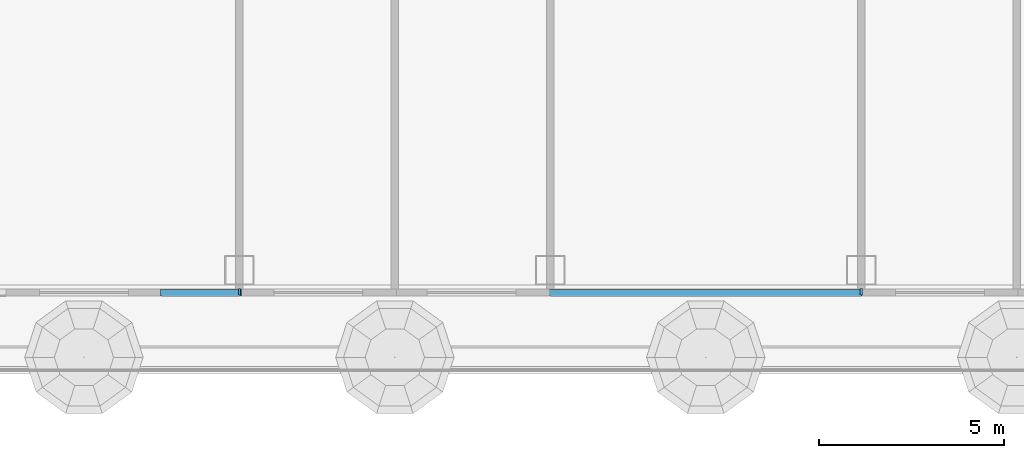
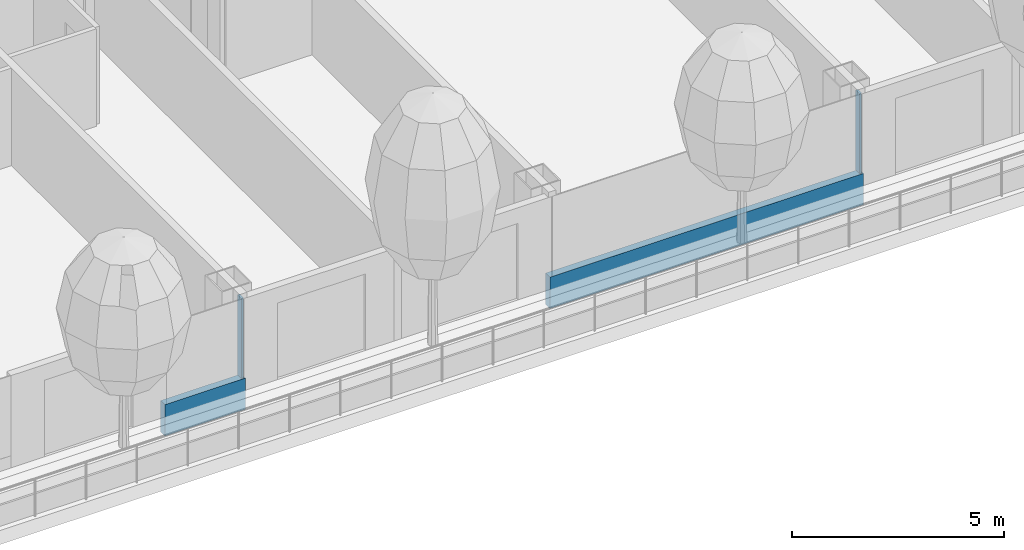
# One storey, part 4 of 33: 4 members, 1 element without a shape of its own.
"""IFC4 building model written with IfcOpenShell, lengths in metres."""

from ifc_helpers import new_model, si_unit, direction, frame, origin, origin_2d, place, context, subcontext, project, spatial, rectangle, extrude, material, layer, layer_set, material_profile, profile_set, type_object, element, aggregate, save


model = new_model("IFC4")

# Units and contexts
model_context = context("Model", 3, precision=1e-05, world=origin(), true_north=direction((0.0, 1.0)))
body_context = subcontext(model_context, "Body", "Model", "MODEL_VIEW")
ifc_project = project(units=[si_unit("LENGTHUNIT", "METRE"), si_unit("AREAUNIT", "SQUARE_METRE"), si_unit("VOLUMEUNIT", "CUBIC_METRE"), si_unit("PLANEANGLEUNIT", "RADIAN"), si_unit("MASSUNIT", "GRAM", prefix="KILO")], contexts=[model_context])

# Site, building, storey
site_placement = place(None, origin())
site = spatial("IfcSite", under=ifc_project, at=site_placement, CompositionType="ELEMENT")
building_placement = place(site_placement, origin())
building = spatial("IfcBuilding", under=site, at=building_placement, Name="Hakoniwa Tower and Hamabe Station Hall", CompositionType="ELEMENT")
storey_placement = place(building_placement, frame((0.0, 0.0, 81.800048828125)))
storey = spatial("IfcBuildingStorey", under=building, at=storey_placement, Name="L22", CompositionType="ELEMENT", Elevation=81.800048828125)

# Curtain wall, members
ifc_material_1 = material(Name="Dark low-e laminated glass", Category="glass")
ifc_layer = layer(ifc_material_1, 0.199951171875)
ifc_layer_set = layer_set([ifc_layer], Name="CW-1 UNITISED GUEST")
curtain_wall_type = type_object("IfcCurtainWallType", Name="CW-1 UNITISED GUEST", PredefinedType="NOTDEFINED", material=ifc_layer_set)
curtain_wall_placement = place(storey_placement, origin())
curtain_wall = element("IfcCurtainWall", 1, at=curtain_wall_placement, inside=storey, type_object=curtain_wall_type, Name="CW-1 curtain wall", PredefinedType="NOTDEFINED")
ifc_material_2 = material(Name="Aluminium 6063-T5 black anodised", Category="aluminium")
ifc_material_profile_1 = material_profile(ifc_material_2, rectangle(XDim=0.199951171875, YDim=0.89990234375, at=origin_2d()), Name="CW SLAB-EDGE BAND 900X200")
ifc_profile_set_1 = profile_set([ifc_material_profile_1], Name="Aluminium 6063-T5 black anodised")
member_type_1 = type_object("IfcMemberType", Name="CW SLAB-EDGE BAND 900X200", PredefinedType="USERDEFINED", material=ifc_profile_set_1)
member_1_placement = place(storey_placement, frame((-10.530029296875, -15.449951171875, -0.10009765625), z_axis=(1.0, 0.0, 0.0), x_axis=(0.0, 1.0, 0.0)))
member_1 = element("IfcMember", 2, at=member_1_placement, type_object=member_type_1, Name="CW-1 transom", ObjectType="TRANSOM", PredefinedType="USERDEFINED", context=body_context, shape_type="SweptSolid", body=[
    extrude(rectangle(XDim=0.199951171875, YDim=0.89990234375, at=origin_2d()), origin(), (0.0, 0.0, 1.0), 2.18994140625),
])
member_2_placement = place(storey_placement, frame((-0.06005859375, -15.449951171875, -0.10009765625), z_axis=(1.0, 0.0, 0.0), x_axis=(0.0, 1.0, 0.0)))
member_2 = element("IfcMember", 3, at=member_2_placement, type_object=member_type_1, Name="CW-1 transom", ObjectType="TRANSOM", PredefinedType="USERDEFINED", context=body_context, shape_type="SweptSolid", body=[
    extrude(rectangle(XDim=0.199951171875, YDim=0.89990234375, at=origin_2d()), origin(), (0.0, 0.0, 1.0), 8.52001953125),
])
ifc_material_3 = material(Name="Aluminium 6063-T5 black anodised", Category="aluminium")
ifc_material_profile_2 = material_profile(ifc_material_3, rectangle(XDim=0.06005859375, YDim=0.179931640625, at=origin_2d()), Name="CW-1 MULLION 60X180")
ifc_profile_set_2 = profile_set([ifc_material_profile_2], Name="Aluminium 6063-T5 black anodised")
member_type_2 = type_object("IfcMemberType", Name="CW-1 MULLION 60X180", PredefinedType="MULLION", material=ifc_profile_set_2)
member_3_placement = place(storey_placement, frame((-8.39990234375, -15.431884765625, 0.349853515625), z_axis=(0.0, 0.0, 1.0), x_axis=(1.0, 0.0, 0.0)))
member_3 = element("IfcMember", 4, at=member_3_placement, type_object=member_type_2, Name="CW-1 mullion", PredefinedType="MULLION", context=body_context, shape_type="SweptSolid", body=[
    extrude(rectangle(XDim=0.06005859375, YDim=0.179931640625, at=origin_2d()), origin(), (0.0, 0.0, 1.0), 2.300048828125),
])
member_4_placement = place(storey_placement, frame((8.39990234375, -15.431884765625, 0.349853515625), z_axis=(0.0, 0.0, 1.0), x_axis=(1.0, 0.0, 0.0)))
member_4 = element("IfcMember", 5, at=member_4_placement, type_object=member_type_2, Name="CW-1 mullion", PredefinedType="MULLION", context=body_context, shape_type="SweptSolid", body=[
    extrude(rectangle(XDim=0.06005859375, YDim=0.179931640625, at=origin_2d()), origin(), (0.0, 0.0, 1.0), 2.300048828125),
])
aggregate(curtain_wall, [member_3, member_4, member_1, member_2])

save(model, "model.ifc")
